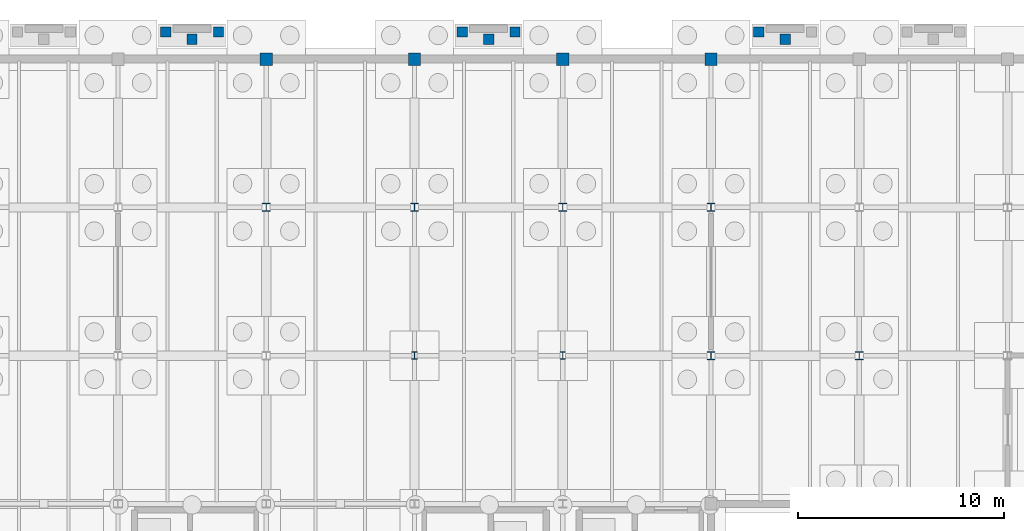
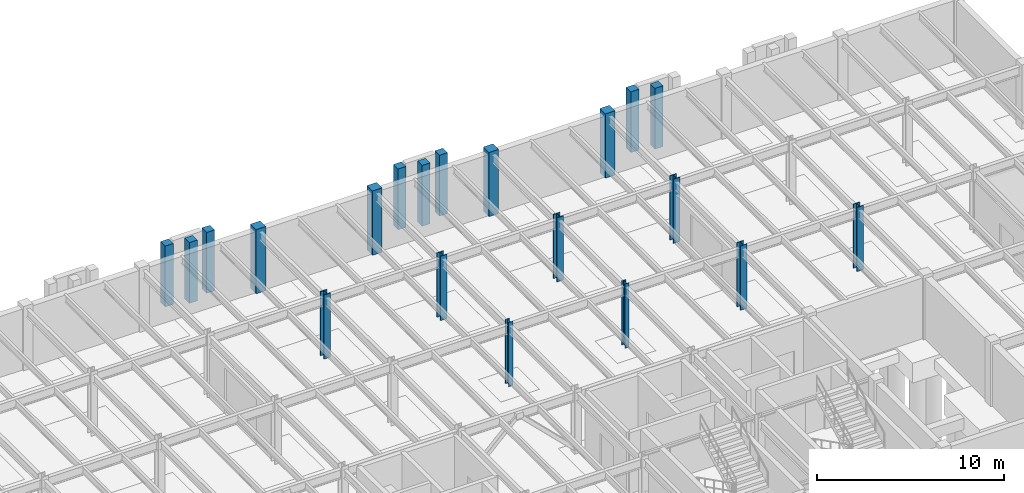
# One storey, part 18 of 46: 20 columns.
"""IFC4 building model written with IfcOpenShell, lengths in metres."""

import ifcopenshell
import ifcopenshell.guid

model = None  # the IFC model being written
_history = None  # IfcOwnerHistory: only IFC2X3 demands one
_inside = {}  # id of a spatial element -> (the spatial element, [elements in it])
_under = {}  # id of a project, library or spatial element -> (it, [spatial elements below it])
_declared = {}  # id of a project -> (the project, [libraries it declares])
_typed = {}  # id of a type object -> (the type object, [elements of that type])
_made_of = {}  # id of a material, layer set ... -> (it, [elements and type objects made of it])


def new_model(schema):
    """Start an empty IFC model of exactly this schema.

    Asked for "IFC4X3", IfcOpenShell would pick the latest addendum, in which some entities
    have other attributes; the version numbers below select the first issue.
    IFC2X3 requires an IfcOwnerHistory on every rooted entity: one is made here for all.
    """
    global model, _history
    if schema == "IFC4X3":
        model = ifcopenshell.file(schema_version=(4, 3, 0, 0))
    else:
        model = ifcopenshell.file(schema=schema)
    _inside.clear()
    _under.clear()
    _declared.clear()
    _typed.clear()
    _made_of.clear()
    _history = None
    if model.schema == "IFC2X3":
        org = make("IfcOrganization", Name="unknown")
        user = make(
            "IfcPersonAndOrganization",
            ThePerson=make("IfcPerson", FamilyName="unknown"),
            TheOrganization=org,
        )
        app = make(
            "IfcApplication",
            ApplicationDeveloper=org,
            Version="unknown",
            ApplicationFullName="unknown",
            ApplicationIdentifier="unknown",
        )
        _history = make(
            "IfcOwnerHistory",
            OwningUser=user,
            OwningApplication=app,
            ChangeAction="ADDED",
            CreationDate=0,
        )
    return model


def make(cls, **values):
    """One entity of the class cls with the attributes given. An attribute that is None is left unset."""
    return model.create_entity(
        cls, **{name: value for name, value in values.items() if value is not None}
    )


def rooted(cls, **values):
    """An entity with a GlobalId (a new one), such as an element, a storey or a relation."""
    return make(cls, GlobalId=ifcopenshell.guid.new(), OwnerHistory=_history, **values)


def si_unit(unit_type, name, prefix=None):
    """IfcSIUnit, for example si_unit("LENGTHUNIT", "METRE", prefix="MILLI")."""
    return make("IfcSIUnit", UnitType=unit_type, Prefix=prefix, Name=name)


def assignment(units):
    """IfcUnitAssignment: the units of a project."""
    return None if units is None else make("IfcUnitAssignment", Units=units)


def point(xyz):
    """IfcCartesianPoint."""
    return None if xyz is None else make("IfcCartesianPoint", Coordinates=xyz)


def direction(xyz):
    """IfcDirection."""
    return None if xyz is None else make("IfcDirection", DirectionRatios=xyz)


def frame(location, z_axis=None, x_axis=None):
    """IfcAxis2Placement3D, a coordinate frame: its origin and axes. An axis left out is left unset."""
    return make(
        "IfcAxis2Placement3D",
        Location=point(location),
        Axis=direction(z_axis),
        RefDirection=direction(x_axis),
    )


def frame_2d(location, x_axis=None):
    """IfcAxis2Placement2D, a coordinate frame in the plane: its origin and x axis."""
    return make(
        "IfcAxis2Placement2D", Location=point(location), RefDirection=direction(x_axis)
    )


def origin():
    """The frame at (0, 0, 0) with its axes left unset."""
    return frame((0.0, 0.0, 0.0))


def origin_2d():
    """The frame at (0, 0) in the plane with its x axis left unset."""
    return frame_2d((0.0, 0.0))


def place(relative_to, where):
    """IfcLocalPlacement: puts the frame where relative to a parent placement (None: the world)."""
    return make(
        "IfcLocalPlacement", PlacementRelTo=relative_to, RelativePlacement=where
    )


def context(
    kind, dimensions, precision=None, world=None, true_north=None, identifier=None
):
    """IfcGeometricRepresentationContext, for example the 3D "Model" context."""
    return make(
        "IfcGeometricRepresentationContext",
        ContextIdentifier=identifier,
        ContextType=kind,
        CoordinateSpaceDimension=dimensions,
        Precision=precision,
        WorldCoordinateSystem=world,
        TrueNorth=true_north,
    )


def subcontext(parent, identifier, kind, view, scale=None):
    """IfcGeometricRepresentationSubContext, for example "Body" below "Model"."""
    return make(
        "IfcGeometricRepresentationSubContext",
        ContextIdentifier=identifier,
        ContextType=kind,
        ParentContext=parent,
        TargetScale=scale,
        TargetView=view,
    )


def project(units=None, contexts=None):
    """IfcProject with its units and contexts."""
    return rooted(
        "IfcProject",
        Name="project",
        RepresentationContexts=contexts,
        UnitsInContext=assignment(units),
    )


def spatial(cls, under=None, at=None, **own):
    """A site, building, storey or space (cls), placed at a placement, below another one or the project."""
    s = rooted(cls, ObjectPlacement=at, **own)
    if under is not None:
        _under.setdefault(under.id(), (under, []))[1].append(s)
    return s


def profile(cls, at=None, kind="AREA", **sizes):
    """A parametric profile (cls). Its sizes go by their IFC names, for example OverallWidth=200.0."""
    return make(cls, ProfileType=kind, Position=at, **sizes)


def rectangle(**sizes):
    """IfcRectangleProfileDef."""
    return profile("IfcRectangleProfileDef", **sizes)


def i_section(**sizes):
    """IfcIShapeProfileDef."""
    return profile("IfcIShapeProfileDef", **sizes)


def extrude(swept, where, along, depth):
    """IfcExtrudedAreaSolid: the profile swept, set in the frame where, extruded along a direction by depth."""
    return make(
        "IfcExtrudedAreaSolid",
        SweptArea=swept,
        Position=where,
        ExtrudedDirection=direction(along),
        Depth=depth,
    )


def shape(context_of_items, identifier, shape_type, items):
    """IfcShapeRepresentation: the items that make up one representation, for example the "Body"."""
    return make(
        "IfcShapeRepresentation",
        ContextOfItems=context_of_items,
        RepresentationIdentifier=identifier,
        RepresentationType=shape_type,
        Items=items,
    )


def material(Name=None, Category=None):
    """IfcMaterial."""
    return make("IfcMaterial", Name=Name, Category=Category)


def material_profile(
    of_material, cross_section, Name=None, Category=None, Priority=None
):
    """IfcMaterialProfile: a cross section and its material."""
    return make(
        "IfcMaterialProfile",
        Name=Name,
        Material=of_material,
        Profile=cross_section,
        Priority=Priority,
        Category=Category,
    )


def profile_set(profiles, Name=None, composite=None):
    """IfcMaterialProfileSet."""
    return make(
        "IfcMaterialProfileSet",
        Name=Name,
        MaterialProfiles=profiles,
        CompositeProfile=composite,
    )


def made_of(thing, what):
    """Note that an element or type object is made of a material, layer set ...; save() writes the relation."""
    if what is not None:
        _made_of.setdefault(what.id(), (what, []))[1].append(thing)
    return thing


def type_object(cls, material=None, **own):
    """A type object (cls), such as IfcWallType, which elements share."""
    return made_of(rooted(cls, **own), material)


def element(
    cls,
    number,
    at=None,
    inside=None,
    cuts=None,
    type_object=None,
    material=None,
    context=None,
    identifier="Body",
    shape_type=None,
    held_by="IfcProductDefinitionShape",
    body=None,
    shapes=None,
    **own,
):
    """One element of the class cls, such as IfcWall. Its Tag is "e" and its number.

    at: its placement. inside: the storey or other place that contains it. cuts: it is an
    opening in that element (IfcRelVoidsElement). A single representation is given by context,
    identifier, shape_type and body (its items); several are given by shapes. held_by: the class
    of the entity that holds the representations. save() writes the other relations.
    """
    e = rooted(cls, Tag="e%d" % number, ObjectPlacement=at, **own)
    if body is not None:
        shapes = [shape(context, identifier, shape_type, body)]
    if shapes is not None:
        e.Representation = make(held_by, Representations=shapes)
    if inside is not None:
        _inside.setdefault(inside.id(), (inside, []))[1].append(e)
    if cuts is not None:
        rooted(
            "IfcRelVoidsElement", RelatingBuildingElement=cuts, RelatedOpeningElement=e
        )
    if type_object is not None:
        _typed.setdefault(type_object.id(), (type_object, []))[1].append(e)
    return made_of(e, material)


def aggregate(whole, parts):
    """IfcRelAggregates: a whole, such as a stair, and the parts it consists of."""
    return rooted("IfcRelAggregates", RelatingObject=whole, RelatedObjects=parts)


def save(model, path):
    """Write the relations noted so far, then the file.

    IfcRelAggregates (storeys below a building ...), IfcRelContainedInSpatialStructure (elements
    in a storey), IfcRelDefinesByType, IfcRelAssociatesMaterial and IfcRelDeclares: one each for
    every whole, place, type object, material and project.
    """
    for whole, parts in _under.values():
        aggregate(whole, parts)
    for where, things in _inside.values():
        rooted(
            "IfcRelContainedInSpatialStructure",
            RelatedElements=things,
            RelatingStructure=where,
        )
    for kind, things in _typed.values():
        rooted("IfcRelDefinesByType", RelatedObjects=things, RelatingType=kind)
    for what, things in _made_of.values():
        rooted("IfcRelAssociatesMaterial", RelatedObjects=things, RelatingMaterial=what)
    for by, libraries in _declared.values():
        rooted("IfcRelDeclares", RelatingContext=by, RelatedDefinitions=libraries)
    model.write(path)


model = new_model("IFC4")

# Units and contexts
model_context = context("Model", 3, precision=1e-05, world=origin(), true_north=direction((0.0, 1.0)))
body_context = subcontext(model_context, "Body", "Model", "MODEL_VIEW")
ifc_project = project(units=[si_unit("LENGTHUNIT", "METRE"), si_unit("AREAUNIT", "SQUARE_METRE"), si_unit("VOLUMEUNIT", "CUBIC_METRE"), si_unit("PLANEANGLEUNIT", "RADIAN"), si_unit("MASSUNIT", "GRAM", prefix="KILO")], contexts=[model_context])

# Site, building, storey
site_placement = place(None, origin())
site = spatial("IfcSite", under=ifc_project, at=site_placement, CompositionType="ELEMENT")
building_placement = place(site_placement, origin())
building = spatial("IfcBuilding", under=site, at=building_placement, Name="Sillqori Civic Hall", CompositionType="ELEMENT")
storey_placement = place(building_placement, frame((0.0, 0.0, -4.199951171875)))
storey = spatial("IfcBuildingStorey", under=building, at=storey_placement, Name="B01", CompositionType="ELEMENT", Elevation=-4.199951171875)

# Columns
ifc_material_1 = material(Name="Concrete C35/45 (H35)", Category="concrete")
ifc_material_profile_1 = material_profile(ifc_material_1, rectangle(XDim=0.5, YDim=0.5, at=origin_2d()), Name="RC 500x500")
ifc_profile_set_1 = profile_set([ifc_material_profile_1], Name="Concrete C35/45 (H35)")
column_type_1 = type_object("IfcColumnType", Name="COL-RC500", PredefinedType="COLUMN", material=ifc_profile_set_1)
for number, where, z_axis, x_axis, name in (
    (1, (67.1201171875, 116.52001953125, 0.0), (0.0, 0.0, 1.0), (1.0, 0.0, 0.0), "North Civic Garden Courtyard Portal subgrade pier 1"),
    (2, (69.679931640625, 116.52001953125, 0.0), (0.0, 0.0, 1.0), (1.0, 0.0, 0.0), "North Civic Garden Courtyard Portal subgrade pier 2"),
    (3, (68.39990234375, 116.159912109375, 0.0), (0.0, 0.0, 1.0), (1.0, 0.0, 0.0), "North Civic Garden Courtyard Portal subgrade pier 3"),
    (4, (81.52001953125, 116.52001953125, 0.0), (0.0, 0.0, 1.0), (1.0, 0.0, 0.0), "North Civic Garden Courtyard Exit subgrade pier 1"),
    (5, (84.080078125, 116.52001953125, 0.0), (0.0, 0.0, 1.0), (1.0, 0.0, 0.0), "North Civic Garden Courtyard Exit subgrade pier 2"),
    (6, (82.800048828125, 116.159912109375, 0.0), (0.0, 0.0, 1.0), (1.0, 0.0, 0.0), "North Civic Garden Courtyard Exit subgrade pier 3"),
    (7, (95.919921875, 116.52001953125, 0.0), (0.0, 0.0, 1.0), (1.0, 0.0, 0.0), "North Civic Garden Core C8 Exit subgrade pier 1"),
    (8, (97.199951171875, 116.159912109375, 0.0), (0.0, 0.0, 1.0), (1.0, 0.0, 0.0), "North Civic Garden Core C8 Exit subgrade pier 3"),
):
    element("IfcColumn", number, at=place(storey_placement, frame(where, z_axis=z_axis, x_axis=x_axis)), inside=storey, type_object=column_type_1, Name=name, PredefinedType="COLUMN", context=body_context, shape_type="SweptSolid", body=[
        extrude(rectangle(XDim=0.5, YDim=0.5, at=origin_2d()), origin(), (0.0, 0.0, 1.0), 3.97998046875),
    ])
ifc_material_profile_2 = material_profile(ifc_material_1, rectangle(XDim=0.60009765625, YDim=0.60009765625, at=origin_2d()), Name="RC 600x600")
ifc_profile_set_2 = profile_set([ifc_material_profile_2], Name="Concrete C35/45 (H35)")
column_type_2 = type_object("IfcColumnType", Name="COL-RC600", PredefinedType="COLUMN", material=ifc_profile_set_2)
for number, where, z_axis, x_axis, name in (
    (9, (72.0, 115.199951171875, 0.0), (0.0, 0.0, 1.0), (1.0, 0.0, 0.0), "B01 column 10-16"),
    (10, (79.199951171875, 115.199951171875, 0.0), (0.0, 0.0, 1.0), (1.0, 0.0, 0.0), "B01 column 11-16"),
    (11, (86.39990234375, 115.199951171875, 0.0), (0.0, 0.0, 1.0), (1.0, 0.0, 0.0), "B01 column 12-16"),
    (12, (93.60009765625, 115.199951171875, 0.0), (0.0, 0.0, 1.0), (1.0, 0.0, 0.0), "B01 column 13-16"),
):
    element("IfcColumn", number, at=place(storey_placement, frame(where, z_axis=z_axis, x_axis=x_axis)), inside=storey, type_object=column_type_2, Name=name, PredefinedType="COLUMN", context=body_context, shape_type="SweptSolid", body=[
        extrude(rectangle(XDim=0.60009765625, YDim=0.60009765625, at=origin_2d()), origin(), (0.0, 0.0, 1.0), 4.199951171875),
    ])
ifc_material_2 = material(Name="Steel ASTM A992", Category="steel")
ifc_material_profile_3 = material_profile(ifc_material_2, i_section(OverallWidth=0.404052734375, OverallDepth=0.406005859375, WebThickness=0.027099609375, FlangeThickness=0.043701171875, FilletRadius=0.014892578125, at=origin_2d()), Name="W14X233")
ifc_profile_set_3 = profile_set([ifc_material_profile_3], Name="Steel ASTM A992")
column_type_3 = type_object("IfcColumnType", Name="COL-W14X233", PredefinedType="COLUMN", material=ifc_profile_set_3)
for number, where, z_axis, x_axis, name in (
    (13, (72.0, 108.0, 0.0), (0.0, 0.0, 1.0), (1.0, 0.0, 0.0), "B01 column 10-15"),
    (14, (79.199951171875, 108.0, 0.0), (0.0, 0.0, 1.0), (1.0, 0.0, 0.0), "B01 column 11-15"),
    (15, (86.39990234375, 108.0, 0.0), (0.0, 0.0, 1.0), (1.0, 0.0, 0.0), "B01 column 12-15"),
    (16, (93.60009765625, 100.800048828125, 0.0), (0.0, 0.0, 1.0), (1.0, 0.0, 0.0), "B01 column 13-14"),
    (17, (93.60009765625, 108.0, 0.0), (0.0, 0.0, 1.0), (1.0, 0.0, 0.0), "B01 column 13-15"),
    (18, (100.800048828125, 100.800048828125, 0.0), (0.0, 0.0, 1.0), (1.0, 0.0, 0.0), "B01 column 14-14"),
):
    element("IfcColumn", number, at=place(storey_placement, frame(where, z_axis=z_axis, x_axis=x_axis)), inside=storey, type_object=column_type_3, Name=name, PredefinedType="COLUMN", context=body_context, shape_type="SweptSolid", body=[
        extrude(i_section(OverallWidth=0.404052734375, OverallDepth=0.406005859375, WebThickness=0.027099609375, FlangeThickness=0.043701171875, FilletRadius=0.014892578125, at=origin_2d()), origin(), (0.0, 0.0, 1.0), 4.199951171875),
    ])
ifc_material_profile_4 = material_profile(ifc_material_2, i_section(OverallWidth=0.257080078125, OverallDepth=0.363037109375, WebThickness=0.012939453125, FlangeThickness=0.021728515625, FilletRadius=0.014892578125, at=origin_2d()), Name="W14X82")
ifc_profile_set_4 = profile_set([ifc_material_profile_4], Name="Steel ASTM A992")
column_type_4 = type_object("IfcColumnType", Name="COL-W14X82", PredefinedType="COLUMN", material=ifc_profile_set_4)
for number, where, z_axis, x_axis, name in (
    (19, (79.199951171875, 100.800048828125, 0.0), (0.0, 0.0, 1.0), (1.0, 0.0, 0.0), "B01 column 11-14"),
    (20, (86.39990234375, 100.800048828125, 0.0), (0.0, 0.0, 1.0), (1.0, 0.0, 0.0), "B01 column 12-14"),
):
    element("IfcColumn", number, at=place(storey_placement, frame(where, z_axis=z_axis, x_axis=x_axis)), inside=storey, type_object=column_type_4, Name=name, PredefinedType="COLUMN", context=body_context, shape_type="SweptSolid", body=[
        extrude(i_section(OverallWidth=0.257080078125, OverallDepth=0.363037109375, WebThickness=0.012939453125, FlangeThickness=0.021728515625, FilletRadius=0.014892578125, at=origin_2d()), origin(), (0.0, 0.0, 1.0), 4.199951171875),
    ])

save(model, "model.ifc")
